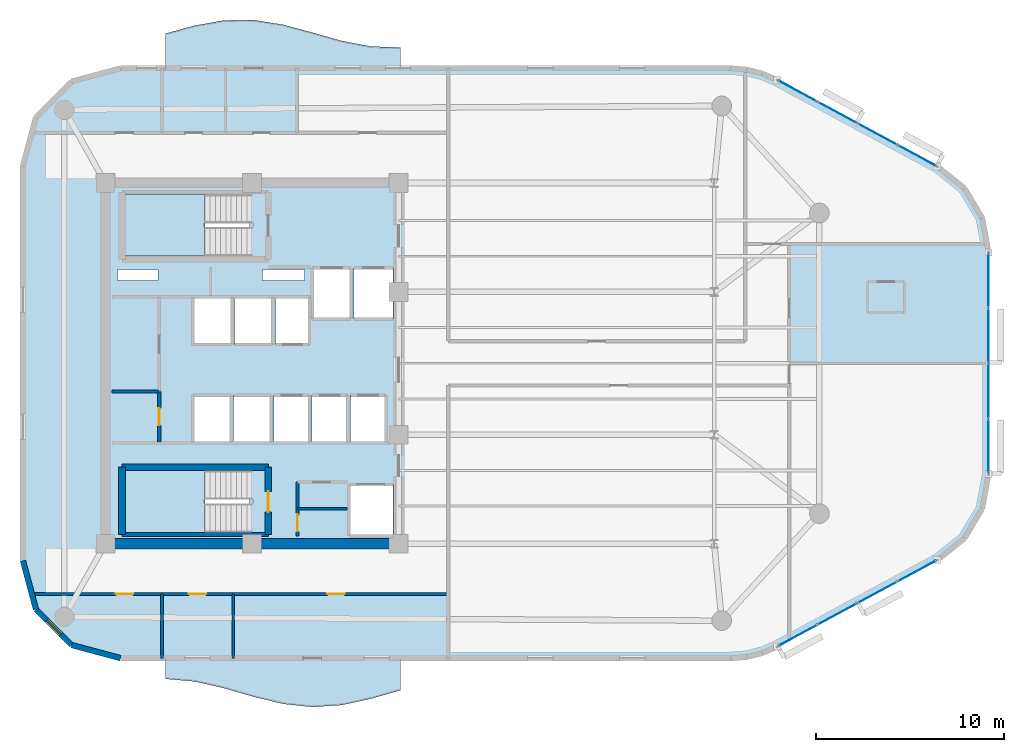
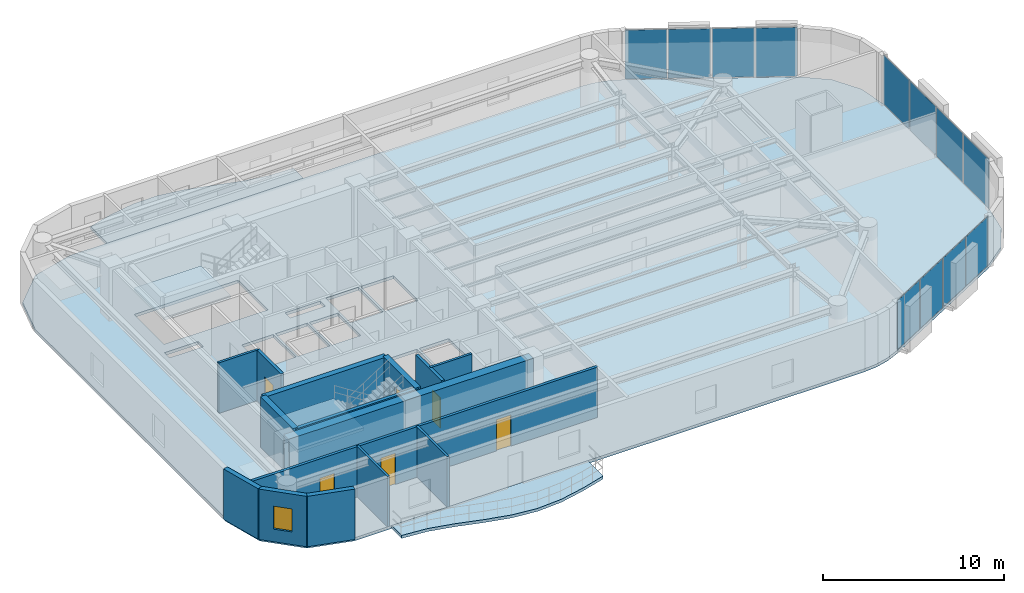
# One storey, part 8 of 13: 15 walls, 12 plates, 6 doors, 5 slabs, 1 window, 7 openings, 5 elements without a shape of their own.
"""IFC4 building model written with IfcOpenShell, lengths in metres."""

from ifc_helpers import new_model, si_unit, direction, frame, frame_2d, origin, origin_2d, place, context, subcontext, project, spatial, polyline, rectangle, outline, extrude, material, layer, layer_set, type_object, element, fill, aggregate, save


model = new_model("IFC4")

# Units and contexts
model_context = context("Model", 3, precision=1e-05, world=origin(), true_north=direction((0.0, 1.0)))
body_context = subcontext(model_context, "Body", "Model", "MODEL_VIEW")
ifc_project = project(units=[si_unit("LENGTHUNIT", "METRE"), si_unit("AREAUNIT", "SQUARE_METRE"), si_unit("VOLUMEUNIT", "CUBIC_METRE"), si_unit("PLANEANGLEUNIT", "RADIAN"), si_unit("MASSUNIT", "GRAM", prefix="KILO")], contexts=[model_context])

# Site, building, storey
site_placement = place(None, origin())
site = spatial("IfcSite", under=ifc_project, at=site_placement, CompositionType="ELEMENT")
building_placement = place(site_placement, origin())
building = spatial("IfcBuilding", under=site, at=building_placement, Name="An Khanh Terracotta Commons", CompositionType="ELEMENT")
storey_placement = place(building_placement, frame((0.0, 0.0, 201.300048828125)))
storey = spatial("IfcBuildingStorey", under=building, at=storey_placement, Name="L52", CompositionType="ELEMENT", Elevation=201.300048828125)

# Curtain wall, plates
ifc_material_1 = material(Name="Anodised Aluminium 6063-T6", Category="aluminium")
ifc_layer_1 = layer(ifc_material_1, 0.2099609375, Name="Anodised Aluminium 6063-T6")
ifc_layer_set_1 = layer_set([ifc_layer_1], Name="Anodised Aluminium 6063-T6")
curtain_wall_type = type_object("IfcCurtainWallType", Name="CW-SYS-03", PredefinedType="USERDEFINED", material=ifc_layer_set_1)
curtain_wall_1_placement = place(storey_placement, origin())
curtain_wall_1 = element("IfcCurtainWall", 1, at=curtain_wall_1_placement, inside=storey, type_object=curtain_wall_type, Name="L52 CW-03 Unitised Curtain Wall CW-L52-08", ObjectType="UNITISED CURTAIN WALL", PredefinedType="USERDEFINED")
ifc_material_2 = material(Name="Acoustic Laminated Low-E Glazing", Category="glass")
ifc_layer_2 = layer(ifc_material_2, 0.035888671875, Name="Acoustic Laminated Low-E Glazing")
ifc_layer_set_2 = layer_set([ifc_layer_2], Name="Acoustic Laminated Low-E Glazing")
plate_type = type_object("IfcPlateType", Name="CWP-IGU-36", PredefinedType="CURTAIN_PANEL", material=ifc_layer_set_2)
plate_1_placement = place(storey_placement, frame((58.436767578125, 9.508544921875, 0.0498046875), z_axis=(0.0, 0.0, 1.0), x_axis=(0.879780095306, 0.47538088298, 0.0)))
plate_1 = element("IfcPlate", 2, at=plate_1_placement, type_object=plate_type, Name="CW-03 panel 1.1", PredefinedType="CURTAIN_PANEL", context=body_context, shape_type="SweptSolid", body=[
    extrude(rectangle(XDim=2.314697265625, YDim=0.035888671875, at=origin_2d()), origin(), (0.0, 0.0, 1.0), 3.300048828125),
])
plate_2_placement = place(storey_placement, frame((60.550048828125, 10.650390625, 0.0498046875), z_axis=(0.0, 0.0, 1.0), x_axis=(0.879780095306, 0.47538088298, 0.0)))
plate_2 = element("IfcPlate", 3, at=plate_2_placement, type_object=plate_type, Name="CW-03 panel 2.1", PredefinedType="CURTAIN_PANEL", context=body_context, shape_type="SweptSolid", body=[
    extrude(rectangle(XDim=2.349609375, YDim=0.035888671875, at=origin_2d()), origin(), (0.0, 0.0, 1.0), 3.300048828125),
])
plate_3_placement = place(storey_placement, frame((62.678955078125, 11.800537109375, 0.0498046875), z_axis=(0.0, 0.0, 1.0), x_axis=(0.879780095306, 0.47538088298, 0.0)))
plate_3 = element("IfcPlate", 4, at=plate_3_placement, type_object=plate_type, Name="CW-03 panel 3.1", PredefinedType="CURTAIN_PANEL", context=body_context, shape_type="SweptSolid", body=[
    extrude(rectangle(XDim=2.349609375, YDim=0.035888671875, at=origin_2d()), origin(), (0.0, 0.0, 1.0), 3.300048828125),
])
plate_4_placement = place(storey_placement, frame((64.792236328125, 12.942626953125, 0.0498046875), z_axis=(0.0, 0.0, 1.0), x_axis=(0.879780095306, 0.47538088298, 0.0)))
plate_4 = element("IfcPlate", 5, at=plate_4_placement, type_object=plate_type, Name="CW-03 panel 4.1", PredefinedType="CURTAIN_PANEL", context=body_context, shape_type="SweptSolid", body=[
    extrude(rectangle(XDim=2.314697265625, YDim=0.035888671875, at=origin_2d()), origin(), (0.0, 0.0, 1.0), 3.300048828125),
])
aggregate(curtain_wall_1, [plate_1, plate_2, plate_3, plate_4])

curtain_wall_2_placement = place(storey_placement, origin())
curtain_wall_2 = element("IfcCurtainWall", 6, at=curtain_wall_2_placement, inside=storey, type_object=curtain_wall_type, Name="L52 CW-03 Unitised Curtain Wall CW-L52-12", ObjectType="UNITISED CURTAIN WALL", PredefinedType="USERDEFINED")
plate_5_placement = place(storey_placement, frame((68.60009765625, 19.59326171875, 0.0498046875), z_axis=(0.0, 0.0, 1.0), x_axis=(0.0, 1.0, 0.0)))
plate_5 = element("IfcPlate", 7, at=plate_5_placement, type_object=plate_type, Name="CW-03 panel 1.1", PredefinedType="CURTAIN_PANEL", context=body_context, shape_type="SweptSolid", body=[
    extrude(rectangle(XDim=2.844482421875, YDim=0.035888671875, at=origin_2d()), origin(), (0.0, 0.0, 1.0), 3.300048828125),
])
plate_6_placement = place(storey_placement, frame((68.60009765625, 22.525146484375, 0.0498046875), z_axis=(0.0, 0.0, 1.0), x_axis=(0.0, 1.0, 0.0)))
plate_6 = element("IfcPlate", 8, at=plate_6_placement, type_object=plate_type, Name="CW-03 panel 2.1", PredefinedType="CURTAIN_PANEL", context=body_context, shape_type="SweptSolid", body=[
    extrude(rectangle(XDim=2.87939453125, YDim=0.035888671875, at=origin_2d()), origin(), (0.0, 0.0, 1.0), 3.300048828125),
])
plate_7_placement = place(storey_placement, frame((68.60009765625, 25.474853515625, 0.0498046875), z_axis=(0.0, 0.0, 1.0), x_axis=(0.0, 1.0, 0.0)))
plate_7 = element("IfcPlate", 9, at=plate_7_placement, type_object=plate_type, Name="CW-03 panel 3.1", PredefinedType="CURTAIN_PANEL", context=body_context, shape_type="SweptSolid", body=[
    extrude(rectangle(XDim=2.87939453125, YDim=0.035888671875, at=origin_2d()), origin(), (0.0, 0.0, 1.0), 3.300048828125),
])
plate_8_placement = place(storey_placement, frame((68.60009765625, 28.40673828125, 0.0498046875), z_axis=(0.0, 0.0, 1.0), x_axis=(0.0, 1.0, 0.0)))
plate_8 = element("IfcPlate", 10, at=plate_8_placement, type_object=plate_type, Name="CW-03 panel 4.1", PredefinedType="CURTAIN_PANEL", context=body_context, shape_type="SweptSolid", body=[
    extrude(rectangle(XDim=2.844482421875, YDim=0.035888671875, at=origin_2d()), origin(), (0.0, 0.0, 1.0), 3.300048828125),
])
aggregate(curtain_wall_2, [plate_5, plate_6, plate_7, plate_8])

curtain_wall_3_placement = place(storey_placement, origin())
curtain_wall_3 = element("IfcCurtainWall", 11, at=curtain_wall_3_placement, inside=storey, type_object=curtain_wall_type, Name="L52 CW-03 Unitised Curtain Wall CW-L52-16", ObjectType="UNITISED CURTAIN WALL", PredefinedType="USERDEFINED")
plate_9_placement = place(storey_placement, frame((64.792236328125, 35.057373046875, 0.0498046875), z_axis=(0.0, 0.0, 1.0), x_axis=(-0.879780095306, 0.47538088298, 0.0)))
plate_9 = element("IfcPlate", 12, at=plate_9_placement, type_object=plate_type, Name="CW-03 panel 1.1", PredefinedType="CURTAIN_PANEL", context=body_context, shape_type="SweptSolid", body=[
    extrude(rectangle(XDim=2.314697265625, YDim=0.035888671875, at=origin_2d()), origin(), (0.0, 0.0, 1.0), 3.300048828125),
])
plate_10_placement = place(storey_placement, frame((62.678955078125, 36.199462890625, 0.0498046875), z_axis=(0.0, 0.0, 1.0), x_axis=(-0.879780095306, 0.47538088298, 0.0)))
plate_10 = element("IfcPlate", 13, at=plate_10_placement, type_object=plate_type, Name="CW-03 panel 2.1", PredefinedType="CURTAIN_PANEL", context=body_context, shape_type="SweptSolid", body=[
    extrude(rectangle(XDim=2.349609375, YDim=0.035888671875, at=origin_2d()), origin(), (0.0, 0.0, 1.0), 3.300048828125),
])
plate_11_placement = place(storey_placement, frame((60.550048828125, 37.349609375, 0.0498046875), z_axis=(0.0, 0.0, 1.0), x_axis=(-0.879780095306, 0.47538088298, 0.0)))
plate_11 = element("IfcPlate", 14, at=plate_11_placement, type_object=plate_type, Name="CW-03 panel 3.1", PredefinedType="CURTAIN_PANEL", context=body_context, shape_type="SweptSolid", body=[
    extrude(rectangle(XDim=2.349609375, YDim=0.035888671875, at=origin_2d()), origin(), (0.0, 0.0, 1.0), 3.300048828125),
])
plate_12_placement = place(storey_placement, frame((58.436767578125, 38.491455078125, 0.0498046875), z_axis=(0.0, 0.0, 1.0), x_axis=(-0.879780095306, 0.47538088298, 0.0)))
plate_12 = element("IfcPlate", 15, at=plate_12_placement, type_object=plate_type, Name="CW-03 panel 4.1", PredefinedType="CURTAIN_PANEL", context=body_context, shape_type="SweptSolid", body=[
    extrude(rectangle(XDim=2.314697265625, YDim=0.035888671875, at=origin_2d()), origin(), (0.0, 0.0, 1.0), 3.300048828125),
])
aggregate(curtain_wall_3, [plate_9, plate_10, plate_11, plate_12])

# Slabs
ifc_material_3 = material(Name="Concrete C40/50", Category="concrete")
ifc_layer_3 = layer(ifc_material_3, 0.199951171875, Name="Concrete C40/50")
ifc_layer_set_3 = layer_set([ifc_layer_3], Name="Concrete C40/50")
slab_type_1 = type_object("IfcSlabType", Name="SLAB-BALC-200", PredefinedType="FLOOR", material=ifc_layer_set_3)
slab_1_placement = place(storey_placement, frame((0.0, 0.0, -0.199951171875)))
element("IfcSlab", 16, at=slab_1_placement, inside=storey, type_object=slab_type_1, Name="L52 S Sinusoidal Wave Balcony Slab", PredefinedType="FLOOR", context=body_context, shape_type="SweptSolid", body=[
    extrude(outline(polyline([(24.800048828125, 8.300048828125), (24.800048828125, 7.199951171875), (26.363037109375, 7.06298828125), (27.925048828125, 6.702880859375), (29.488037109375, 6.25), (31.050048828125, 5.8701171875), (32.612060546875, 5.701904296875), (34.175048828125, 5.806884765625), (35.737060546875, 6.14599609375), (37.300048828125, 6.595947265625), (37.300048828125, 8.300048828125), (24.800048828125, 8.300048828125)])), origin(), (0.0, 0.0, 1.0), 0.199951171875),
])
slab_2_placement = place(storey_placement, frame((0.0, 0.0, -0.199951171875)))
element("IfcSlab", 17, at=slab_2_placement, inside=storey, type_object=slab_type_1, Name="L52 N Sinusoidal Wave Balcony Slab", PredefinedType="FLOOR", context=body_context, shape_type="SweptSolid", body=[
    extrude(outline(polyline([(37.300048828125, 39.699951171875), (37.300048828125, 40.81396484375), (35.737060546875, 40.864013671875), (34.175048828125, 41.1640625), (32.612060546875, 41.60498046875), (31.050048828125, 42.02587890625), (29.488037109375, 42.27294921875), (27.925048828125, 42.256103515625), (26.363037109375, 41.98193359375), (24.800048828125, 41.550048828125), (24.800048828125, 39.699951171875), (37.300048828125, 39.699951171875)])), origin(), (0.0, 0.0, 1.0), 0.199951171875),
])

# Stair, slab
ifc_material_4 = material(Name="Precast concrete C40/50", Category="concrete")
stair_type = type_object("IfcStairType", Name="STAIR-CORE-1550", PredefinedType="HALF_TURN_STAIR", material=ifc_material_4)
stair_1_placement = place(storey_placement, origin())
stair_1 = element("IfcStair", 18, at=stair_1_placement, inside=storey, type_object=stair_type, Name="L52 Core Smokeproof Exit Stair ST-01", PredefinedType="HALF_TURN_STAIR")
ifc_layer_4 = layer(ifc_material_3, 0.18994140625, Name="Concrete C40/50")
ifc_layer_set_4 = layer_set([ifc_layer_4], Name="Concrete C40/50")
slab_type_2 = type_object("IfcSlabType", Name="SLAB-LANDING-190", PredefinedType="LANDING", material=ifc_layer_set_4)
slab_3_placement = place(storey_placement, frame((0.0, 0.0, 1.599853515625)))
slab_3 = element("IfcSlab", 19, at=slab_3_placement, type_object=slab_type_2, Name="ST-01 landing 1", PredefinedType="LANDING", context=body_context, shape_type="SweptSolid", body=[
    extrude(outline(polyline([(26.889892578125, 33.0), (22.64990234375, 33.0), (22.64990234375, 29.699951171875), (26.889892578125, 29.699951171875), (26.889892578125, 33.0)])), origin(), (0.0, 0.0, 1.0), 0.2001953125),
])
aggregate(stair_1, [slab_3])

stair_2_placement = place(storey_placement, origin())
stair_2 = element("IfcStair", 20, at=stair_2_placement, inside=storey, type_object=stair_type, Name="L52 Core Smokeproof Exit Stair ST-02", PredefinedType="HALF_TURN_STAIR")
slab_4_placement = place(storey_placement, frame((0.0, 0.0, 1.599853515625)))
slab_4 = element("IfcSlab", 21, at=slab_4_placement, type_object=slab_type_2, Name="ST-02 landing 1", PredefinedType="LANDING", context=body_context, shape_type="SweptSolid", body=[
    extrude(outline(polyline([(26.889892578125, 18.300048828125), (22.64990234375, 18.300048828125), (22.64990234375, 15.0), (26.889892578125, 15.0), (26.889892578125, 18.300048828125)])), origin(), (0.0, 0.0, 1.0), 0.2001953125),
])
aggregate(stair_2, [slab_4])

# Slab
ifc_layer_5 = layer(ifc_material_3, 0.199951171875, Name="Concrete C40/50")
ifc_layer_set_5 = layer_set([ifc_layer_5], Name="Concrete C40/50")
slab_type_3 = type_object("IfcSlabType", Name="SLAB-TYP-200", PredefinedType="FLOOR", material=ifc_layer_set_5)
slab_5_placement = place(storey_placement, frame((0.0, 0.0, -0.199951171875)))
element("IfcSlab", 22, at=slab_5_placement, inside=storey, type_object=slab_type_3, Name="L52 Structural Floor Slab", PredefinedType="FLOOR", context=body_context, shape_type="SweptSolid", body=[
    extrude(outline(polyline([(17.199951171875, 13.5), (17.89697265625, 10.89990234375), (19.800048828125, 8.9970703125), (22.39990234375, 8.300048828125), (54.885009765625, 8.300048828125), (55.739990234375, 8.37109375), (56.571044921875, 8.5810546875), (57.35693359375, 8.925048828125), (65.8720703125, 13.52587890625), (67.320068359375, 14.68408203125), (68.26904296875, 16.27587890625), (68.60009765625, 18.10107421875), (68.60009765625, 29.89892578125), (68.26904296875, 31.72412109375), (67.320068359375, 33.31591796875), (65.8720703125, 34.47412109375), (57.35693359375, 39.074951171875), (56.571044921875, 39.4189453125), (55.739990234375, 39.62890625), (54.885009765625, 39.699951171875), (22.39990234375, 39.699951171875), (19.800048828125, 39.0029296875), (17.89697265625, 37.10009765625), (17.199951171875, 34.5), (17.199951171875, 13.5)]), holes=[polyline([(22.64990234375, 29.699951171875), (29.27001953125, 29.699951171875), (29.27001953125, 33.0), (22.64990234375, 33.0), (22.64990234375, 29.699951171875)]), polyline([(22.64990234375, 15.0), (29.27001953125, 15.0), (29.27001953125, 18.300048828125), (22.64990234375, 18.300048828125), (22.64990234375, 15.0)]), polyline([(32.60009765625, 26.35009765625), (34.679931640625, 26.35009765625), (34.679931640625, 29.080078125), (32.60009765625, 29.080078125), (32.60009765625, 26.35009765625)]), polyline([(34.820068359375, 26.35009765625), (36.89990234375, 26.35009765625), (36.89990234375, 29.080078125), (34.820068359375, 29.080078125), (34.820068359375, 26.35009765625)]), polyline([(34.550048828125, 14.800048828125), (36.89990234375, 14.800048828125), (36.89990234375, 17.550048828125), (34.550048828125, 17.550048828125), (34.550048828125, 14.800048828125)]), polyline([(26.320068359375, 25.0), (28.340087890625, 25.0), (28.340087890625, 27.5), (26.320068359375, 27.5), (26.320068359375, 25.0)]), polyline([(28.47998046875, 25.0), (30.5, 25.0), (30.5, 27.5), (28.47998046875, 27.5), (28.47998046875, 25.0)]), polyline([(26.280029296875, 19.800048828125), (28.280029296875, 19.800048828125), (28.280029296875, 22.300048828125), (26.280029296875, 22.300048828125), (26.280029296875, 19.800048828125)]), polyline([(28.419921875, 19.800048828125), (30.419921875, 19.800048828125), (30.419921875, 22.300048828125), (28.419921875, 22.300048828125), (28.419921875, 19.800048828125)]), polyline([(30.639892578125, 25.0), (32.4599609375, 25.0), (32.4599609375, 27.5), (30.639892578125, 27.5), (30.639892578125, 25.0)]), polyline([(30.56005859375, 19.800048828125), (32.4599609375, 19.800048828125), (32.4599609375, 22.300048828125), (30.56005859375, 22.300048828125), (30.56005859375, 19.800048828125)]), polyline([(32.60009765625, 19.800048828125), (34.5, 19.800048828125), (34.5, 22.300048828125), (32.60009765625, 22.300048828125), (32.60009765625, 19.800048828125)]), polyline([(34.639892578125, 19.800048828125), (36.5400390625, 19.800048828125), (36.5400390625, 22.300048828125), (34.639892578125, 22.300048828125), (34.639892578125, 19.800048828125)]), polyline([(22.25, 28.419921875), (24.39990234375, 28.419921875), (24.39990234375, 28.97998046875), (22.25, 28.97998046875), (22.25, 28.419921875)]), polyline([(29.949951171875, 28.419921875), (32.199951171875, 28.419921875), (32.199951171875, 28.97998046875), (29.949951171875, 28.97998046875), (29.949951171875, 28.419921875)])]), origin(), (0.0, 0.0, 1.0), 0.199951171875),
])

# Wall
ifc_material_5 = material(Name="Concrete C50/60", Category="concrete")
ifc_layer_6 = layer(ifc_material_5, 0.550048828125, Name="Concrete C50/60")
ifc_layer_set_6 = layer_set([ifc_layer_6], Name="Concrete C50/60")
wall_type_1 = type_object("IfcWallType", Name="WALL-CORE-550", PredefinedType="SHEAR", material=ifc_layer_set_6)
wall_1_placement = place(storey_placement, frame((37.199951171875, 14.39990234375, 0.0), z_axis=(0.0, 0.0, 1.0), x_axis=(-1.0, 0.0, 0.0)))
element("IfcWall", 23, at=wall_1_placement, inside=storey, type_object=wall_type_1, Name="L52 Core Wall CWALL-L52-S", PredefinedType="SHEAR", context=body_context, shape_type="SweptSolid", body=[
    extrude(rectangle(XDim=15.599853515625, YDim=0.550048828125, at=frame_2d((7.7998046875, 0.0))), origin(), (0.0, 0.0, 1.0), 3.39990234375),
])

# Wall, opening, door
ifc_material_6 = material(Name="Fire-Rated Gypsum Board on Steel Stud", Category="steel")
ifc_layer_7 = layer(ifc_material_6, 0.179931640625, Name="Fire-Rated Gypsum Board on Steel Stud")
ifc_layer_set_7 = layer_set([ifc_layer_7], Name="Fire-Rated Gypsum Board on Steel Stud")
wall_type_2 = type_object("IfcWallType", Name="WALL-CORR-180", PredefinedType="PARTITIONING", material=ifc_layer_set_7)
wall_2_placement = place(storey_placement, frame((31.820068359375, 14.800048828125, 0.0), z_axis=(0.0, 0.0, 1.0), x_axis=(0.0, 1.0, 0.0)))
wall_2 = element("IfcWall", 24, at=wall_2_placement, inside=storey, type_object=wall_type_2, Name="L52 Core Wall SSVCW-L52-W", PredefinedType="PARTITIONING", context=body_context, shape_type="SweptSolid", body=[
    extrude(rectangle(XDim=2.8798828125, YDim=0.179931640625, at=frame_2d((1.43994140625, 0.0))), origin(), (0.0, 0.0, 1.0), 3.39990234375),
])
opening_1_placement = place(wall_2_placement, frame((0.260009765625, 0.0, 0.0)))
opening_1 = element("IfcOpeningElement", 25, at=opening_1_placement, cuts=wall_2, Name="Opening D-SV", PredefinedType="OPENING", context=body_context, shape_type="SweptSolid", body=[
    extrude(rectangle(XDim=0.89990234375, YDim=2.050048828125, at=frame_2d((0.449951171875, 1.02490234375))), frame((0.0, 0.099853515625, 0.0), z_axis=(0.0, -1.0, 0.0), x_axis=(1.0, 0.0, 0.0)), (0.0, 0.0, 1.0), 0.199951171875),
])
ifc_material_7 = material(Name="Fire-Rated Powder-Coated Steel Door", Category="steel")
door_type_1 = type_object("IfcDoorType", Name="DOOR-SERV-900", OperationType="NOTDEFINED", PredefinedType="DOOR", material=ifc_material_7)
door_1_placement = place(opening_1_placement, origin())
door_1 = element("IfcDoor", 26, at=door_1_placement, inside=storey, type_object=door_type_1, Name="L52 Telecoms BMS Cupboard Door", OperationType="SINGLE_SWING_LEFT", OverallHeight=2.050048828125, OverallWidth=0.89990234375, PredefinedType="DOOR", context=body_context, shape_type="SweptSolid", body=[
    extrude(rectangle(XDim=0.89990234375, YDim=2.050048828125, at=frame_2d((0.449951171875, 1.02490234375))), frame((0.0, 0.02490234375, 0.0), z_axis=(0.0, -1.0, 0.0), x_axis=(1.0, 0.0, 0.0)), (0.0, 0.0, 1.0), 0.050048828125),
])
fill(opening_1, door_1)

wall_3_placement = place(storey_placement, frame((24.4599609375, 19.800048828125, 0.0), z_axis=(0.0, 0.0, 1.0), x_axis=(0.0, 1.0, 0.0)))
wall_3 = element("IfcWall", 27, at=wall_3_placement, inside=storey, type_object=wall_type_2, Name="L52 Core Wall RECW-L52-E2", PredefinedType="PARTITIONING", context=body_context, shape_type="SweptSolid", body=[
    extrude(rectangle(XDim=2.699951171875, YDim=0.179931640625, at=frame_2d((1.35009765625, 0.0))), origin(), (0.0, 0.0, 1.0), 3.39990234375),
])
opening_2_placement = place(wall_3_placement, frame((0.889892578125, 0.0, 0.0)))
opening_2 = element("IfcOpeningElement", 28, at=opening_2_placement, cuts=wall_3, Name="Opening D-RM", PredefinedType="OPENING", context=body_context, shape_type="SweptSolid", body=[
    extrude(rectangle(XDim=0.919921875, YDim=2.10009765625, at=frame_2d((0.4599609375, 1.050048828125))), frame((0.0, 0.099853515625, 0.0), z_axis=(0.0, -1.0, 0.0), x_axis=(1.0, 0.0, 0.0)), (0.0, 0.0, 1.0), 0.199951171875),
])
ifc_material_8 = material(Name="Engineered Hardwood Timber Leaf", Category="wood")
door_type_2 = type_object("IfcDoorType", Name="DOOR-INT-920", OperationType="NOTDEFINED", PredefinedType="DOOR", material=ifc_material_8)
door_2_placement = place(opening_2_placement, origin())
door_2 = element("IfcDoor", 29, at=door_2_placement, inside=storey, type_object=door_type_2, Name="L52 Communal Laundry Room Door", OperationType="SINGLE_SWING_LEFT", OverallHeight=2.10009765625, OverallWidth=0.919921875, PredefinedType="DOOR", context=body_context, shape_type="SweptSolid", body=[
    extrude(rectangle(XDim=0.919921875, YDim=2.10009765625, at=frame_2d((0.4599609375, 1.050048828125))), frame((0.0, 0.02490234375, 0.0), z_axis=(0.0, -1.0, 0.0), x_axis=(1.0, 0.0, 0.0)), (0.0, 0.0, 1.0), 0.050048828125),
])
fill(opening_2, door_2)

# Wall, openings, doors
wall_4_placement = place(storey_placement, frame((17.677001953125, 11.719970703125, 0.0), z_axis=(0.0, 0.0, 1.0), x_axis=(1.0, 0.0, 0.0)))
wall_4 = element("IfcWall", 30, at=wall_4_placement, inside=storey, type_object=wall_type_2, Name="L52 Interior Partition IW-L52-E001", PredefinedType="PARTITIONING", context=body_context, shape_type="SweptSolid", body=[
    extrude(rectangle(XDim=22.173095703125, YDim=0.179931640625, at=frame_2d((11.08642578125, 0.0))), origin(), (0.0, 0.0, 1.0), 3.39990234375),
])
opening_3_placement = place(wall_4_placement, frame((8.363037109375, 0.0, 0.0)))
opening_3 = element("IfcOpeningElement", 31, at=opening_3_placement, cuts=wall_4, Name="Opening D-RM", PredefinedType="OPENING", context=body_context, shape_type="SweptSolid", body=[
    extrude(rectangle(XDim=0.919921875, YDim=2.10009765625, at=frame_2d((0.4599609375, 1.050048828125))), frame((0.0, 0.099853515625, 0.0), z_axis=(0.0, -1.0, 0.0), x_axis=(1.0, 0.0, 0.0)), (0.0, 0.0, 1.0), 0.199951171875),
])
opening_4_placement = place(wall_4_placement, frame((4.47900390625, 0.0, 0.0)))
opening_4 = element("IfcOpeningElement", 32, at=opening_4_placement, cuts=wall_4, Name="Opening D-RM", PredefinedType="OPENING", context=body_context, shape_type="SweptSolid", body=[
    extrude(rectangle(XDim=0.919921875, YDim=2.10009765625, at=frame_2d((0.4599609375, 1.050048828125))), frame((0.0, 0.099853515625, 0.0), z_axis=(0.0, -1.0, 0.0), x_axis=(1.0, 0.0, 0.0)), (0.0, 0.0, 1.0), 0.199951171875),
])
opening_5_placement = place(wall_4_placement, frame((15.72802734375, 0.0, 0.0)))
opening_5 = element("IfcOpeningElement", 33, at=opening_5_placement, cuts=wall_4, Name="Opening D-RM", PredefinedType="OPENING", context=body_context, shape_type="SweptSolid", body=[
    extrude(rectangle(XDim=0.919921875, YDim=2.10009765625, at=frame_2d((0.4599609375, 1.050048828125))), frame((0.0, 0.099853515625, 0.0), z_axis=(0.0, -1.0, 0.0), x_axis=(1.0, 0.0, 0.0)), (0.0, 0.0, 1.0), 0.199951171875),
])
door_3_placement = place(opening_3_placement, origin())
door_3 = element("IfcDoor", 34, at=door_3_placement, inside=storey, type_object=door_type_2, Name="L52 HKP Housekeeping Linen Store Door", OperationType="SINGLE_SWING_LEFT", OverallHeight=2.10009765625, OverallWidth=0.919921875, PredefinedType="DOOR", context=body_context, shape_type="SweptSolid", body=[
    extrude(rectangle(XDim=0.919921875, YDim=2.10009765625, at=frame_2d((0.4599609375, 1.050048828125))), frame((0.0, 0.02490234375, 0.0), z_axis=(0.0, -1.0, 0.0), x_axis=(1.0, 0.0, 0.0)), (0.0, 0.0, 1.0), 0.050048828125),
])
fill(opening_3, door_3)
door_4_placement = place(opening_4_placement, origin())
door_4 = element("IfcDoor", 35, at=door_4_placement, inside=storey, type_object=door_type_2, Name="L52 SW1 Co-Living Private Bedroom Door", OperationType="SINGLE_SWING_LEFT", OverallHeight=2.10009765625, OverallWidth=0.919921875, PredefinedType="DOOR", context=body_context, shape_type="SweptSolid", body=[
    extrude(rectangle(XDim=0.919921875, YDim=2.10009765625, at=frame_2d((0.4599609375, 1.050048828125))), frame((0.0, 0.02490234375, 0.0), z_axis=(0.0, -1.0, 0.0), x_axis=(1.0, 0.0, 0.0)), (0.0, 0.0, 1.0), 0.050048828125),
])
fill(opening_4, door_4)
door_5_placement = place(opening_5_placement, origin())
door_5 = element("IfcDoor", 36, at=door_5_placement, inside=storey, type_object=door_type_2, Name="L52 SWE Communal Kitchen and Dining Door", OperationType="SINGLE_SWING_RIGHT", OverallHeight=2.10009765625, OverallWidth=0.919921875, PredefinedType="DOOR", context=body_context, shape_type="SweptSolid", body=[
    extrude(rectangle(XDim=0.919921875, YDim=2.10009765625, at=frame_2d((0.4599609375, 1.050048828125))), frame((0.0, 0.02490234375, 0.0), z_axis=(0.0, -1.0, 0.0), x_axis=(1.0, 0.0, 0.0)), (0.0, 0.0, 1.0), 0.050048828125),
])
fill(opening_5, door_5)

# Wall
ifc_layer_8 = layer(ifc_material_4, 0.300048828125, Name="Precast concrete C40/50")
ifc_layer_set_8 = layer_set([ifc_layer_8], Name="Precast concrete C40/50")
wall_type_3 = type_object("IfcWallType", Name="WALL-EXT-300", PredefinedType="SOLIDWALL", material=ifc_layer_set_8)
wall_5_placement = place(storey_placement, frame((17.199951171875, 13.5, 0.0), z_axis=(0.0, 0.0, 1.0), x_axis=(0.258932525951, -0.965895412042, 0.0)))
element("IfcWall", 37, at=wall_5_placement, inside=storey, type_object=wall_type_3, Name="L52 Insulated Terracotta Exterior Wall 1", PredefinedType="SOLIDWALL", context=body_context, shape_type="SweptSolid", body=[
    extrude(rectangle(XDim=2.69189453125, YDim=0.300048828125, at=frame_2d((1.345947265625, 0.0))), origin(), (0.0, 0.0, 1.0), 3.39990234375),
])

# Wall, opening, window
wall_6_placement = place(storey_placement, frame((17.89697265625, 10.89990234375, 0.0), z_axis=(0.0, 0.0, 1.0), x_axis=(0.707152139074, -0.70706142039, 0.0)))
wall_6 = element("IfcWall", 38, at=wall_6_placement, inside=storey, type_object=wall_type_3, Name="L52 Insulated Terracotta Exterior Wall 2", PredefinedType="SOLIDWALL", context=body_context, shape_type="SweptSolid", body=[
    extrude(rectangle(XDim=2.691162109375, YDim=0.300048828125, at=frame_2d((1.345703125, 0.0))), origin(), (0.0, 0.0, 1.0), 3.39990234375),
])
opening_6_placement = place(wall_6_placement, frame((0.821044921875, 0.0, 0.85009765625)))
opening_6 = element("IfcOpeningElement", 39, at=opening_6_placement, cuts=wall_6, Name="Opening W-06", PredefinedType="OPENING", context=body_context, shape_type="SweptSolid", body=[
    extrude(rectangle(XDim=1.050048828125, YDim=1.550048828125, at=frame_2d((0.52490234375, 0.77490234375))), frame((0.0, 0.159912109375, 0.0), z_axis=(0.0, -1.0, 0.0), x_axis=(1.0, 0.0, 0.0)), (0.0, 0.0, 1.0), 0.320068359375),
])
ifc_material_9 = material(Name="Thermally Broken Aluminium and Low-E Glass", Category="aluminium")
window_type = type_object("IfcWindowType", Name="WIN-COR-1050x1550", PartitioningType="SINGLE_PANEL", PredefinedType="WINDOW", material=ifc_material_9)
window_placement = place(opening_6_placement, origin())
window = element("IfcWindow", 40, at=window_placement, inside=storey, type_object=window_type, Name="L52 L52-SW1 Dwelling Casement Window", OverallHeight=1.550048828125, OverallWidth=1.050048828125, PartitioningType="SINGLE_PANEL", PredefinedType="WINDOW", context=body_context, shape_type="SweptSolid", body=[
    extrude(rectangle(XDim=1.050048828125, YDim=1.550048828125, at=frame_2d((0.52490234375, 0.77490234375))), frame((0.0, 0.030029296875, 0.0), z_axis=(0.0, -1.0, 0.0), x_axis=(1.0, 0.0, 0.0)), (0.0, 0.0, 1.0), 0.06005859375),
])
fill(opening_6, window)

# Walls
wall_7_placement = place(storey_placement, frame((19.800048828125, 8.9970703125, 0.0), z_axis=(0.0, 0.0, 1.0), x_axis=(0.965889330541, -0.258955210695, 0.0)))
element("IfcWall", 41, at=wall_7_placement, inside=storey, type_object=wall_type_3, Name="L52 Insulated Terracotta Exterior Wall 3", PredefinedType="SOLIDWALL", context=body_context, shape_type="SweptSolid", body=[
    extrude(rectangle(XDim=2.691650390625, YDim=0.300048828125, at=frame_2d((1.345703125, 0.0))), origin(), (0.0, 0.0, 1.0), 3.39990234375),
])
ifc_material_10 = material(Name="Acoustic Gypsum Board Partition")
ifc_layer_9 = layer(ifc_material_10, 0.14990234375, Name="Acoustic Gypsum Board Partition")
ifc_layer_set_9 = layer_set([ifc_layer_9], Name="Acoustic Gypsum Board Partition")
wall_type_4 = type_object("IfcWallType", Name="WALL-PART-150", PredefinedType="PARTITIONING", material=ifc_layer_set_9)
wall_8_placement = place(storey_placement, frame((31.820068359375, 16.260009765625, 0.0), z_axis=(0.0, 0.0, 1.0), x_axis=(1.0, 0.0, 0.0)))
element("IfcWall", 42, at=wall_8_placement, inside=storey, type_object=wall_type_4, Name="L52 Core Wall SSVCW-L52-M", PredefinedType="PARTITIONING", context=body_context, shape_type="SweptSolid", body=[
    extrude(rectangle(XDim=2.659912109375, YDim=0.14990234375, at=frame_2d((1.330078125, 0.0))), origin(), (0.0, 0.0, 1.0), 3.39990234375),
])
wall_9_placement = place(storey_placement, frame((21.949951171875, 22.5, 0.0), z_axis=(0.0, 0.0, 1.0), x_axis=(1.0, 0.0, 0.0)))
element("IfcWall", 43, at=wall_9_placement, inside=storey, type_object=wall_type_4, Name="L52 Core Wall RECW-L52-M", PredefinedType="PARTITIONING", context=body_context, shape_type="SweptSolid", body=[
    extrude(rectangle(XDim=2.510009765625, YDim=0.14990234375, at=frame_2d((1.2548828125, 0.0))), origin(), (0.0, 0.0, 1.0), 3.39990234375),
])
for number, where, z_axis, x_axis, name in (
    (44, (24.60009765625, 8.300048828125, 0.0), (0.0, 0.0, 1.0), (0.0, 1.0, 0.0), "L52 Interior Partition IW-L52-E007"),
    (45, (28.39990234375, 8.300048828125, 0.0), (0.0, 0.0, 1.0), (0.0, 1.0, 0.0), "L52 Interior Partition IW-L52-E010"),
):
    element("IfcWall", number, at=place(storey_placement, frame(where, z_axis=z_axis, x_axis=x_axis)), inside=storey, type_object=wall_type_4, Name=name, PredefinedType="PARTITIONING", context=body_context, shape_type="SweptSolid", body=[
        extrude(rectangle(XDim=3.419921875, YDim=0.14990234375, at=frame_2d((1.7099609375, 0.0))), origin(), (0.0, 0.0, 1.0), 3.39990234375),
    ])
ifc_material_11 = material(Name="Acoustic Double-Stud Gypsum and Mineral Wool")
ifc_layer_10 = layer(ifc_material_11, 0.219970703125, Name="Acoustic Double-Stud Gypsum and Mineral Wool")
ifc_layer_set_10 = layer_set([ifc_layer_10], Name="Acoustic Double-Stud Gypsum and Mineral Wool")
wall_type_5 = type_object("IfcWallType", Name="WALL-PARTY-220", PredefinedType="PARTITIONING", material=ifc_layer_set_10)
wall_10_placement = place(storey_placement, frame((22.47998046875, 14.889892578125, 0.0), z_axis=(0.0, 0.0, 1.0), x_axis=(1.0, 0.0, 0.0)))
element("IfcWall", 46, at=wall_10_placement, inside=storey, type_object=wall_type_5, Name="L52 Core Wall STW-L52-S-S", PredefinedType="PARTITIONING", context=body_context, shape_type="SweptSolid", body=[
    extrude(rectangle(XDim=7.7900390625, YDim=0.219970703125, at=frame_2d((3.89501953125, 0.0))), origin(), (0.0, 0.0, 1.0), 3.39990234375),
])
ifc_layer_11 = layer(ifc_material_5, 0.35009765625, Name="Concrete C50/60")
ifc_layer_set_11 = layer_set([ifc_layer_11], Name="Concrete C50/60")
wall_type_6 = type_object("IfcWallType", Name="WALL-SHAFT-350", PredefinedType="SOLIDWALL", material=ifc_layer_set_11)
wall_11_placement = place(storey_placement, frame((22.47998046875, 18.469970703125, 0.0), z_axis=(0.0, 0.0, 1.0), x_axis=(1.0, 0.0, 0.0)))
element("IfcWall", 47, at=wall_11_placement, inside=storey, type_object=wall_type_6, Name="L52 Core Wall STW-L52-S-N", PredefinedType="SOLIDWALL", context=body_context, shape_type="SweptSolid", body=[
    extrude(rectangle(XDim=7.7900390625, YDim=0.35009765625, at=frame_2d((3.89501953125, 0.0))), origin(), (0.0, 0.0, 1.0), 3.39990234375),
])
wall_12_placement = place(storey_placement, frame((22.47998046875, 14.889892578125, 0.0), z_axis=(0.0, 0.0, 1.0), x_axis=(0.0, 1.0, 0.0)))
element("IfcWall", 48, at=wall_12_placement, inside=storey, type_object=wall_type_6, Name="L52 Core Wall STW-L52-S-W", PredefinedType="SOLIDWALL", context=body_context, shape_type="SweptSolid", body=[
    extrude(rectangle(XDim=3.580078125, YDim=0.35009765625, at=frame_2d((1.7900390625, 0.0))), origin(), (0.0, 0.0, 1.0), 3.39990234375),
])

# Wall, opening, door
wall_13_placement = place(storey_placement, frame((30.27001953125, 14.889892578125, 0.0), z_axis=(0.0, 0.0, 1.0), x_axis=(0.0, 1.0, 0.0)))
wall_13 = element("IfcWall", 49, at=wall_13_placement, inside=storey, type_object=wall_type_6, Name="L52 Core Wall STW-L52-S-E", PredefinedType="SOLIDWALL", context=body_context, shape_type="SweptSolid", body=[
    extrude(rectangle(XDim=3.580078125, YDim=0.35009765625, at=frame_2d((1.7900390625, 0.0))), origin(), (0.0, 0.0, 1.0), 3.39990234375),
])
opening_7_placement = place(wall_13_placement, frame((1.18994140625, 0.0, 0.0)))
opening_7 = element("IfcOpeningElement", 50, at=opening_7_placement, cuts=wall_13, Name="Opening D-ST", PredefinedType="OPENING", context=body_context, shape_type="SweptSolid", body=[
    extrude(rectangle(XDim=1.10009765625, YDim=2.14990234375, at=frame_2d((0.550048828125, 1.074951171875))), frame((0.0, 0.18505859375, 0.0), z_axis=(0.0, -1.0, 0.0), x_axis=(1.0, 0.0, 0.0)), (0.0, 0.0, 1.0), 0.3701171875),
])
ifc_material_12 = material(Name="Fire-Rated Steel Leaf and Frame", Category="steel")
door_type_3 = type_object("IfcDoorType", Name="DOOR-STAIR-1100", OperationType="NOTDEFINED", PredefinedType="DOOR", material=ifc_material_12)
door_6_placement = place(opening_7_placement, origin())
door_6 = element("IfcDoor", 51, at=door_6_placement, inside=storey, type_object=door_type_3, Name="L52 Stair ST-02 Fire Door", OperationType="SINGLE_SWING_LEFT", OverallHeight=2.14990234375, OverallWidth=1.10009765625, PredefinedType="DOOR", context=body_context, shape_type="SweptSolid", body=[
    extrude(rectangle(XDim=1.10009765625, YDim=2.14990234375, at=frame_2d((0.550048828125, 1.074951171875))), frame((0.0, 0.02490234375, 0.0), z_axis=(0.0, -1.0, 0.0), x_axis=(1.0, 0.0, 0.0)), (0.0, 0.0, 1.0), 0.050048828125),
])
fill(opening_7, door_6)

save(model, "model.ifc")
